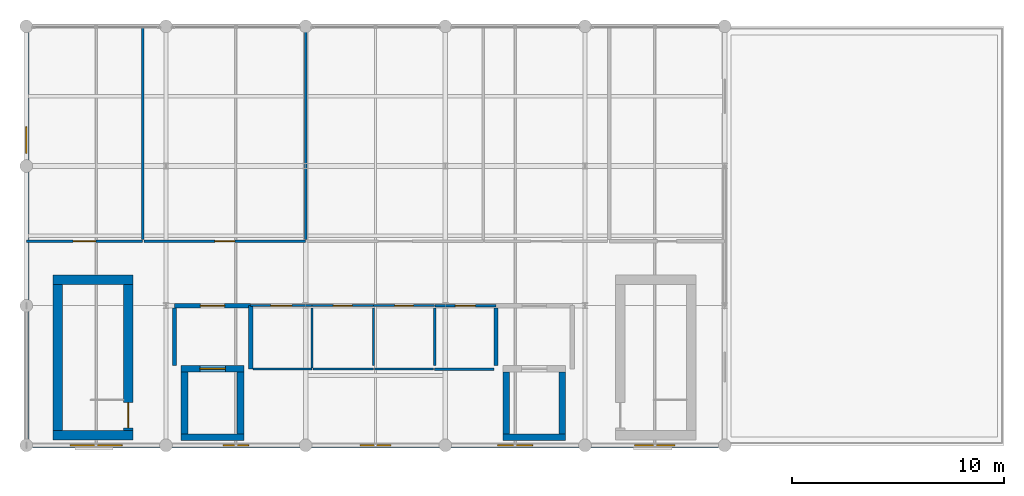
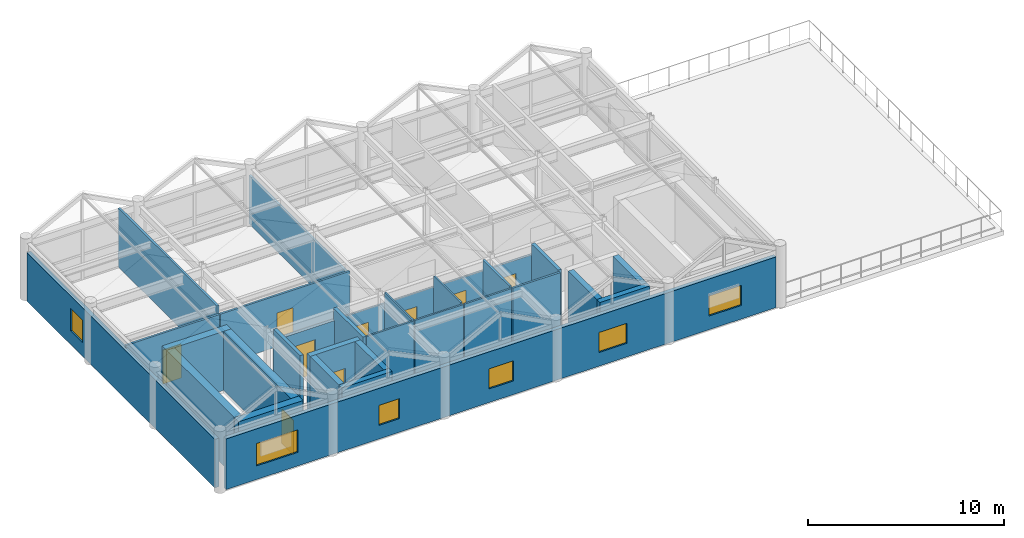
# One storey, part 19 of 21: 32 walls, 9 doors, 6 windows, 15 openings.
"""IFC4 building model written with IfcOpenShell, lengths in metres."""

from ifc_helpers import new_model, si_unit, direction, frame, frame_2d, origin, place, context, subcontext, project, spatial, rectangle, extrude, material, layer, layer_set, type_object, element, fill, save


model = new_model("IFC4")

# Units and contexts
model_context = context("Model", 3, precision=1e-05, world=origin(), true_north=direction((0.0, 1.0)))
body_context = subcontext(model_context, "Body", "Model", "MODEL_VIEW")
ifc_project = project(units=[si_unit("LENGTHUNIT", "METRE"), si_unit("AREAUNIT", "SQUARE_METRE"), si_unit("VOLUMEUNIT", "CUBIC_METRE"), si_unit("PLANEANGLEUNIT", "RADIAN"), si_unit("MASSUNIT", "GRAM", prefix="KILO")], contexts=[model_context])

# Site, building, storey
site_placement = place(None, origin())
site = spatial("IfcSite", under=ifc_project, at=site_placement, CompositionType="ELEMENT")
building_placement = place(site_placement, origin())
building = spatial("IfcBuilding", under=site, at=building_placement, Name="Karori Crest Natural Sciences Institute", CompositionType="ELEMENT")
storey_placement = place(building_placement, frame((0.0, 0.0, 42.0)))
storey = spatial("IfcBuildingStorey", under=building, at=storey_placement, Name="L10", CompositionType="ELEMENT", Elevation=42.0)

# Walls
ifc_material_1 = material(Name="Concrete 50 MPa", Category="concrete")
ifc_layer_1 = layer(ifc_material_1, 0.449951171875, Name="Concrete 50 MPa")
ifc_layer_set_1 = layer_set([ifc_layer_1], Name="Concrete 50 MPa")
wall_type_1 = type_object("IfcWallType", Name="IWT-01", PredefinedType="SHEAR", material=ifc_layer_set_1)
for number, where, z_axis, x_axis, name in (
    (1, (104.85009765625, 1.27490234375, 0.0), (0.0, 0.0, 1.0), (1.0, 0.0, 0.0), "Shear wall IW-0113"),
    (2, (104.85009765625, 8.625, 0.0), (0.0, 0.0, 1.0), (1.0, 0.0, 0.0), "Shear wall IW-0114"),
):
    element("IfcWall", number, at=place(storey_placement, frame(where, z_axis=z_axis, x_axis=x_axis)), inside=storey, type_object=wall_type_1, Name=name, PredefinedType="SHEAR", context=body_context, shape_type="SweptSolid", body=[
        extrude(rectangle(XDim=3.7998046875, YDim=0.449951171875, at=frame_2d((1.89990234375, 0.0))), origin(), (0.0, 0.0, 1.0), 3.669921875),
    ])
wall_1_placement = place(storey_placement, frame((105.074951171875, 1.501953125, 0.0), z_axis=(0.0, 0.0, 1.0), x_axis=(0.0, 1.0, 0.0)))
element("IfcWall", 3, at=wall_1_placement, inside=storey, type_object=wall_type_1, Name="Shear wall IW-0115", PredefinedType="SHEAR", context=body_context, shape_type="SweptSolid", body=[
    extrude(rectangle(XDim=6.89599609375, YDim=0.449951171875, at=frame_2d((3.447998046875, 0.0))), origin(), (0.0, 0.0, 1.0), 3.669921875),
])

# Wall, opening, door
wall_2_placement = place(storey_placement, frame((108.425048828125, 1.501953125, 0.0), z_axis=(0.0, 0.0, 1.0), x_axis=(0.0, 1.0, 0.0)))
wall_2 = element("IfcWall", 4, at=wall_2_placement, inside=storey, type_object=wall_type_1, Name="Shear wall IW-0116", PredefinedType="SHEAR", context=body_context, shape_type="SweptSolid", body=[
    extrude(rectangle(XDim=6.89599609375, YDim=0.449951171875, at=frame_2d((3.447998046875, 0.0))), origin(), (0.0, 0.0, 1.0), 3.669921875),
])
opening_1_placement = place(wall_2_placement, frame((0.1201171875, 0.0, 0.0)))
opening_1 = element("IfcOpeningElement", 5, at=opening_1_placement, cuts=wall_2, Name="Opening ID-0029", PredefinedType="OPENING", context=body_context, shape_type="SweptSolid", body=[
    extrude(rectangle(XDim=1.199951171875, YDim=2.14990234375, at=frame_2d((0.60009765625, 1.074951171875))), frame((0.0, 0.23486328125, 0.0), z_axis=(0.0, -1.0, 0.0), x_axis=(1.0, 0.0, 0.0)), (0.0, 0.0, 1.0), 0.469970703125),
])
ifc_material_2 = material(Name="Stainless steel 316 and fire-rated timber", Category="steel")
door_type_1 = type_object("IfcDoorType", Name="IDT-01", OperationType="NOTDEFINED", PredefinedType="DOOR", material=ifc_material_2)
door_1_placement = place(opening_1_placement, origin())
door_1 = element("IfcDoor", 6, at=door_1_placement, inside=storey, type_object=door_type_1, Name="Stair ST-03 fire door ID-0029", OperationType="SINGLE_SWING_LEFT", OverallHeight=2.14990234375, OverallWidth=1.199951171875, PredefinedType="DOOR", context=body_context, shape_type="SweptSolid", body=[
    extrude(rectangle(XDim=1.199951171875, YDim=2.14990234375, at=frame_2d((0.60009765625, 1.074951171875))), frame((0.0, 0.02490234375, 0.0), z_axis=(0.0, -1.0, 0.0), x_axis=(1.0, 0.0, 0.0)), (0.0, 0.0, 1.0), 0.050048828125),
])
fill(opening_1, door_1)

# Wall
ifc_layer_2 = layer(ifc_material_1, 0.320068359375, Name="Concrete 50 MPa")
ifc_layer_set_2 = layer_set([ifc_layer_2], Name="Concrete 50 MPa")
wall_type_2 = type_object("IfcWallType", Name="IWT-03", PredefinedType="SHEAR", material=ifc_layer_set_2)
wall_3_placement = place(storey_placement, frame((110.919921875, 1.179931640625, 0.0), z_axis=(0.0, 0.0, 1.0), x_axis=(1.0, 0.0, 0.0)))
element("IfcWall", 7, at=wall_3_placement, inside=storey, type_object=wall_type_2, Name="Shear wall IW-0349", PredefinedType="SHEAR", context=body_context, shape_type="SweptSolid", body=[
    extrude(rectangle(XDim=2.9599609375, YDim=0.320068359375, at=frame_2d((1.47998046875, 0.0))), origin(), (0.0, 0.0, 1.0), 3.669921875),
])

# Wall, opening, door
wall_4_placement = place(storey_placement, frame((110.919921875, 4.419921875, 0.0), z_axis=(0.0, 0.0, 1.0), x_axis=(1.0, 0.0, 0.0)))
wall_4 = element("IfcWall", 8, at=wall_4_placement, inside=storey, type_object=wall_type_2, Name="Shear wall IW-0350", PredefinedType="SHEAR", context=body_context, shape_type="SweptSolid", body=[
    extrude(rectangle(XDim=2.9599609375, YDim=0.320068359375, at=frame_2d((1.47998046875, 0.0))), origin(), (0.0, 0.0, 1.0), 3.669921875),
])
opening_2_placement = place(wall_4_placement, frame((0.8798828125, 0.0, 0.0)))
opening_2 = element("IfcOpeningElement", 9, at=opening_2_placement, cuts=wall_4, Name="Opening LD-0012", PredefinedType="OPENING", context=body_context, shape_type="SweptSolid", body=[
    extrude(rectangle(XDim=1.199951171875, YDim=2.199951171875, at=frame_2d((0.60009765625, 1.10009765625))), frame((0.0, 0.169921875, 0.0), z_axis=(0.0, -1.0, 0.0), x_axis=(1.0, 0.0, 0.0)), (0.0, 0.0, 1.0), 0.340087890625),
])
door_type_2 = type_object("IfcDoorType", Name="LDT-02", OperationType="SLIDING_TO_LEFT", PredefinedType="DOOR", material=ifc_material_2)
door_2_placement = place(opening_2_placement, origin())
door_2 = element("IfcDoor", 10, at=door_2_placement, inside=storey, type_object=door_type_2, Name="Lift LF-01 landing door LD-0012", OperationType="SLIDING_TO_LEFT", OverallHeight=2.199951171875, OverallWidth=1.199951171875, PredefinedType="DOOR", context=body_context, shape_type="SweptSolid", body=[
    extrude(rectangle(XDim=1.199951171875, YDim=2.199951171875, at=frame_2d((0.60009765625, 1.10009765625))), frame((0.0, 0.02490234375, 0.0), z_axis=(0.0, -1.0, 0.0), x_axis=(1.0, 0.0, 0.0)), (0.0, 0.0, 1.0), 0.050048828125),
])
fill(opening_2, door_2)

# Walls
for number, where, z_axis, x_axis, name in (
    (11, (111.080078125, 1.342041015625, 0.0), (0.0, 0.0, 1.0), (0.0, 1.0, 0.0), "Shear wall IW-0351"),
    (12, (113.719970703125, 1.342041015625, 0.0), (0.0, 0.0, 1.0), (0.0, 1.0, 0.0), "Shear wall IW-0352"),
):
    element("IfcWall", number, at=place(storey_placement, frame(where, z_axis=z_axis, x_axis=x_axis)), inside=storey, type_object=wall_type_2, Name=name, PredefinedType="SHEAR", context=body_context, shape_type="SweptSolid", body=[
        extrude(rectangle(XDim=2.916015625, YDim=0.320068359375, at=frame_2d((1.4580078125, 0.0))), origin(), (0.0, 0.0, 1.0), 3.669921875),
    ])
wall_5_placement = place(storey_placement, frame((126.1201171875, 1.179931640625, 0.0), z_axis=(0.0, 0.0, 1.0), x_axis=(1.0, 0.0, 0.0)))
element("IfcWall", 13, at=wall_5_placement, inside=storey, type_object=wall_type_2, Name="Shear wall IW-0397", PredefinedType="SHEAR", context=body_context, shape_type="SweptSolid", body=[
    extrude(rectangle(XDim=2.9599609375, YDim=0.320068359375, at=frame_2d((1.47998046875, 0.0))), origin(), (0.0, 0.0, 1.0), 3.669921875),
])
for number, where, z_axis, x_axis, name in (
    (14, (126.280029296875, 1.342041015625, 0.0), (0.0, 0.0, 1.0), (0.0, 1.0, 0.0), "Shear wall IW-0399"),
    (15, (128.919921875, 1.342041015625, 0.0), (0.0, 0.0, 1.0), (0.0, 1.0, 0.0), "Shear wall IW-0400"),
):
    element("IfcWall", number, at=place(storey_placement, frame(where, z_axis=z_axis, x_axis=x_axis)), inside=storey, type_object=wall_type_2, Name=name, PredefinedType="SHEAR", context=body_context, shape_type="SweptSolid", body=[
        extrude(rectangle(XDim=2.916015625, YDim=0.320068359375, at=frame_2d((1.4580078125, 0.0))), origin(), (0.0, 0.0, 1.0), 3.669921875),
    ])

# Wall, opening, door
ifc_material_3 = material(Name="Concrete 40 MPa", Category="concrete")
ifc_layer_3 = layer(ifc_material_3, 0.199951171875, Name="Concrete 40 MPa")
ifc_layer_set_3 = layer_set([ifc_layer_3], Name="Concrete 40 MPa")
wall_type_3 = type_object("IfcWallType", Name="IWT-04", PredefinedType="SOLIDWALL", material=ifc_layer_set_3)
wall_6_placement = place(storey_placement, frame((110.60009765625, 7.39990234375, 0.0), z_axis=(0.0, 0.0, 1.0), x_axis=(1.0, 0.0, 0.0)))
wall_6 = element("IfcWall", 16, at=wall_6_placement, inside=storey, type_object=wall_type_3, Name="Partition wall IW-0866", PredefinedType="SOLIDWALL", context=body_context, shape_type="SweptSolid", body=[
    extrude(rectangle(XDim=3.599853515625, YDim=0.199951171875, at=frame_2d((1.7998046875, 0.0))), origin(), (0.0, 0.0, 1.0), 2.943115234375),
])
opening_3_placement = place(wall_6_placement, frame((1.22509765625, 0.0, 0.0)))
opening_3 = element("IfcOpeningElement", 17, at=opening_3_placement, cuts=wall_6, Name="Opening ID-0211", PredefinedType="OPENING", context=body_context, shape_type="SweptSolid", body=[
    extrude(rectangle(XDim=1.14990234375, YDim=2.14990234375, at=frame_2d((0.574951171875, 1.074951171875))), frame((0.0, 0.10986328125, 0.0), z_axis=(0.0, -1.0, 0.0), x_axis=(1.0, 0.0, 0.0)), (0.0, 0.0, 1.0), 0.219970703125),
])
door_type_3 = type_object("IfcDoorType", Name="IDT-02", OperationType="NOTDEFINED", PredefinedType="DOOR", material=ifc_material_2)
door_3_placement = place(opening_3_placement, origin())
door_3 = element("IfcDoor", 18, at=door_3_placement, inside=storey, type_object=door_type_3, Name="Firefighting Lift Lobby West door ID-0211", OperationType="SINGLE_SWING_LEFT", OverallHeight=2.14990234375, OverallWidth=1.14990234375, PredefinedType="DOOR", context=body_context, shape_type="SweptSolid", body=[
    extrude(rectangle(XDim=1.14990234375, YDim=2.14990234375, at=frame_2d((0.574951171875, 1.074951171875))), frame((0.0, 0.02490234375, 0.0), z_axis=(0.0, -1.0, 0.0), x_axis=(1.0, 0.0, 0.0)), (0.0, 0.0, 1.0), 0.050048828125),
])
fill(opening_3, door_3)

# Walls
wall_7_placement = place(storey_placement, frame((110.60009765625, 4.58203125, 0.0), z_axis=(0.0, 0.0, 1.0), x_axis=(0.0, 1.0, 0.0)))
element("IfcWall", 19, at=wall_7_placement, inside=storey, type_object=wall_type_3, Name="Partition wall IW-0867", PredefinedType="SOLIDWALL", context=body_context, shape_type="SweptSolid", body=[
    extrude(rectangle(XDim=2.716064453125, YDim=0.199951171875, at=frame_2d((1.35791015625, 0.0))), origin(), (0.0, 0.0, 1.0), 3.669921875),
])
wall_8_placement = place(storey_placement, frame((114.199951171875, 4.39990234375, 0.0), z_axis=(0.0, 0.0, 1.0), x_axis=(0.0, 1.0, 0.0)))
element("IfcWall", 20, at=wall_8_placement, inside=storey, type_object=wall_type_3, Name="Partition wall IW-0868", PredefinedType="SOLIDWALL", context=body_context, shape_type="SweptSolid", body=[
    extrude(rectangle(XDim=3.0, YDim=0.199951171875, at=frame_2d((1.5, 0.0))), origin(), (0.0, 0.0, 1.0), 3.669921875),
])
wall_9_placement = place(storey_placement, frame((125.800048828125, 4.58203125, 0.0), z_axis=(0.0, 0.0, 1.0), x_axis=(0.0, 1.0, 0.0)))
element("IfcWall", 21, at=wall_9_placement, inside=storey, type_object=wall_type_3, Name="Partition wall IW-0870", PredefinedType="SOLIDWALL", context=body_context, shape_type="SweptSolid", body=[
    extrude(rectangle(XDim=2.716064453125, YDim=0.199951171875, at=frame_2d((1.35791015625, 0.0))), origin(), (0.0, 0.0, 1.0), 3.669921875),
])
ifc_material_4 = material(Name="Write-up office acoustic partition")
ifc_layer_4 = layer(ifc_material_4, 0.1201171875, Name="Write-up office acoustic partition")
ifc_layer_set_4 = layer_set([ifc_layer_4], Name="Write-up office acoustic partition")
wall_type_4 = type_object("IfcWallType", Name="IWT-08", PredefinedType="PARTITIONING", material=ifc_layer_set_4)
wall_10_placement = place(storey_placement, frame((122.89990234375, 4.39990234375, 0.0), z_axis=(0.0, 0.0, 1.0), x_axis=(1.0, 0.0, 0.0)))
element("IfcWall", 22, at=wall_10_placement, inside=storey, type_object=wall_type_4, Name="Partition wall IW-0872", PredefinedType="PARTITIONING", context=body_context, shape_type="SweptSolid", body=[
    extrude(rectangle(XDim=2.798095703125, YDim=0.1201171875, at=frame_2d((1.39892578125, 0.0))), origin(), (0.0, 0.0, 1.0), 3.669921875),
])

# Wall, opening, door
wall_11_placement = place(storey_placement, frame((122.89990234375, 7.39990234375, 0.0), z_axis=(0.0, 0.0, 1.0), x_axis=(1.0, 0.0, 0.0)))
wall_11 = element("IfcWall", 23, at=wall_11_placement, inside=storey, type_object=wall_type_4, Name="Partition wall IW-0873", PredefinedType="PARTITIONING", context=body_context, shape_type="SweptSolid", body=[
    extrude(rectangle(XDim=2.898193359375, YDim=0.1201171875, at=frame_2d((1.44921875, 0.0))), origin(), (0.0, 0.0, 1.0), 2.943115234375),
])
opening_4_placement = place(wall_11_placement, frame((0.97412109375, 0.0, 0.0)))
opening_4 = element("IfcOpeningElement", 24, at=opening_4_placement, cuts=wall_11, Name="Opening ID-0213", PredefinedType="OPENING", context=body_context, shape_type="SweptSolid", body=[
    extrude(rectangle(XDim=0.949951171875, YDim=2.10009765625, at=frame_2d((0.47509765625, 1.050048828125))), frame((0.0, 0.070068359375, 0.0), z_axis=(0.0, -1.0, 0.0), x_axis=(1.0, 0.0, 0.0)), (0.0, 0.0, 1.0), 0.14013671875),
])
ifc_material_5 = material(Name="Anodised aluminium and acoustic timber", Category="wood")
door_type_4 = type_object("IfcDoorType", Name="IDT-08", OperationType="NOTDEFINED", PredefinedType="DOOR", material=ifc_material_5)
door_4_placement = place(opening_4_placement, origin())
door_4 = element("IfcDoor", 25, at=door_4_placement, inside=storey, type_object=door_type_4, Name="Communications Server Room door ID-0213", OperationType="SINGLE_SWING_LEFT", OverallHeight=2.10009765625, OverallWidth=0.949951171875, PredefinedType="DOOR", context=body_context, shape_type="SweptSolid", body=[
    extrude(rectangle(XDim=0.949951171875, YDim=2.10009765625, at=frame_2d((0.47509765625, 1.050048828125))), frame((0.0, 0.02490234375, 0.0), z_axis=(0.0, -1.0, 0.0), x_axis=(1.0, 0.0, 0.0)), (0.0, 0.0, 1.0), 0.050048828125),
])
fill(opening_4, door_4)

# Wall
wall_12_placement = place(storey_placement, frame((122.89990234375, 4.58203125, 0.0), z_axis=(0.0, 0.0, 1.0), x_axis=(0.0, 1.0, 0.0)))
element("IfcWall", 26, at=wall_12_placement, inside=storey, type_object=wall_type_4, Name="Partition wall IW-0874", PredefinedType="PARTITIONING", context=body_context, shape_type="SweptSolid", body=[
    extrude(rectangle(XDim=2.716064453125, YDim=0.1201171875, at=frame_2d((1.35791015625, 0.0))), origin(), (0.0, 0.0, 1.0), 3.669921875),
])

# Wall, opening, door
wall_13_placement = place(storey_placement, frame((103.60009765625, 10.449951171875, 0.0), z_axis=(0.0, 0.0, 1.0), x_axis=(1.0, 0.0, 0.0)))
wall_13 = element("IfcWall", 27, at=wall_13_placement, inside=storey, type_object=wall_type_4, Name="Partition wall IW-0885", PredefinedType="PARTITIONING", context=body_context, shape_type="SweptSolid", body=[
    extrude(rectangle(XDim=5.5, YDim=0.1201171875, at=frame_2d((2.75, 0.0))), origin(), (0.0, 0.0, 1.0), 3.196044921875),
])
opening_5_placement = place(wall_13_placement, frame((2.2099609375, 0.0, 0.0)))
opening_5 = element("IfcOpeningElement", 28, at=opening_5_placement, cuts=wall_13, Name="Opening ID-0218", PredefinedType="OPENING", context=body_context, shape_type="SweptSolid", body=[
    extrude(rectangle(XDim=1.080078125, YDim=2.1201171875, at=frame_2d((0.5400390625, 1.06005859375))), frame((0.0, 0.070068359375, 0.0), z_axis=(0.0, -1.0, 0.0), x_axis=(1.0, 0.0, 0.0)), (0.0, 0.0, 1.0), 0.14013671875),
])
door_type_5 = type_object("IfcDoorType", Name="IDT-12", OperationType="NOTDEFINED", PredefinedType="DOOR", material=ifc_material_5)
door_5_placement = place(opening_5_placement, origin())
door_5 = element("IfcDoor", 29, at=door_5_placement, inside=storey, type_object=door_type_5, Name="Write-Up Office door ID-0218", OperationType="SINGLE_SWING_RIGHT", OverallHeight=2.1201171875, OverallWidth=1.080078125, PredefinedType="DOOR", context=body_context, shape_type="SweptSolid", body=[
    extrude(rectangle(XDim=1.080078125, YDim=2.1201171875, at=frame_2d((0.5400390625, 1.06005859375))), frame((0.0, 0.02490234375, 0.0), z_axis=(0.0, -1.0, 0.0), x_axis=(1.0, 0.0, 0.0)), (0.0, 0.0, 1.0), 0.050048828125),
])
fill(opening_5, door_5)

# Wall
wall_14_placement = place(storey_placement, frame((109.10009765625, 10.531982421875, 0.0), z_axis=(0.0, 0.0, 1.0), x_axis=(0.0, 1.0, 0.0)))
element("IfcWall", 30, at=wall_14_placement, inside=storey, type_object=wall_type_4, Name="Partition wall IW-0886", PredefinedType="PARTITIONING", context=body_context, shape_type="SweptSolid", body=[
    extrude(rectangle(XDim=10.068115234375, YDim=0.1201171875, at=frame_2d((5.0341796875, 0.0))), origin(), (0.0, 0.0, 1.0), 3.669921875),
])

# Wall, opening, door
wall_15_placement = place(storey_placement, frame((109.162109375, 10.449951171875, 0.0), z_axis=(0.0, 0.0, 1.0), x_axis=(1.0, 0.0, 0.0)))
wall_15 = element("IfcWall", 31, at=wall_15_placement, inside=storey, type_object=wall_type_4, Name="Partition wall IW-0887", PredefinedType="PARTITIONING", context=body_context, shape_type="SweptSolid", body=[
    extrude(rectangle(XDim=7.637939453125, YDim=0.1201171875, at=frame_2d((3.81884765625, 0.0))), origin(), (0.0, 0.0, 1.0), 3.196044921875),
])
opening_6_placement = place(wall_15_placement, frame((3.343994140625, 0.0, 0.0)))
opening_6 = element("IfcOpeningElement", 32, at=opening_6_placement, cuts=wall_15, Name="Opening ID-0219", PredefinedType="OPENING", context=body_context, shape_type="SweptSolid", body=[
    extrude(rectangle(XDim=0.949951171875, YDim=2.10009765625, at=frame_2d((0.47509765625, 1.050048828125))), frame((0.0, 0.070068359375, 0.0), z_axis=(0.0, -1.0, 0.0), x_axis=(1.0, 0.0, 0.0)), (0.0, 0.0, 1.0), 0.14013671875),
])
door_6_placement = place(opening_6_placement, origin())
door_6 = element("IfcDoor", 33, at=door_6_placement, inside=storey, type_object=door_type_4, Name="Computational Ecology Studio door ID-0219", OperationType="SINGLE_SWING_LEFT", OverallHeight=2.10009765625, OverallWidth=0.949951171875, PredefinedType="DOOR", context=body_context, shape_type="SweptSolid", body=[
    extrude(rectangle(XDim=0.949951171875, YDim=2.10009765625, at=frame_2d((0.47509765625, 1.050048828125))), frame((0.0, 0.02490234375, 0.0), z_axis=(0.0, -1.0, 0.0), x_axis=(1.0, 0.0, 0.0)), (0.0, 0.0, 1.0), 0.050048828125),
])
fill(opening_6, door_6)

# Walls
wall_16_placement = place(storey_placement, frame((116.800048828125, 10.531982421875, 0.0), z_axis=(0.0, 0.0, 1.0), x_axis=(0.0, 1.0, 0.0)))
element("IfcWall", 34, at=wall_16_placement, inside=storey, type_object=wall_type_4, Name="Partition wall IW-0888", PredefinedType="PARTITIONING", context=body_context, shape_type="SweptSolid", body=[
    extrude(rectangle(XDim=10.068115234375, YDim=0.1201171875, at=frame_2d((5.0341796875, 0.0))), origin(), (0.0, 0.0, 1.0), 3.02197265625),
])
ifc_material_6 = material(Name="Washroom moisture-resistant partition")
ifc_layer_5 = layer(ifc_material_6, 0.10009765625, Name="Washroom moisture-resistant partition")
ifc_layer_set_5 = layer_set([ifc_layer_5], Name="Washroom moisture-resistant partition")
wall_type_5 = type_object("IfcWallType", Name="IWT-09", PredefinedType="PARTITIONING", material=ifc_layer_set_5)
wall_17_placement = place(storey_placement, frame((114.302001953125, 4.39990234375, 0.0), z_axis=(0.0, 0.0, 1.0), x_axis=(1.0, 0.0, 0.0)))
element("IfcWall", 35, at=wall_17_placement, inside=storey, type_object=wall_type_5, Name="Partition wall IW-0875", PredefinedType="PARTITIONING", context=body_context, shape_type="SweptSolid", body=[
    extrude(rectangle(XDim=2.798095703125, YDim=0.10009765625, at=frame_2d((1.39892578125, 0.0))), origin(), (0.0, 0.0, 1.0), 3.669921875),
])

# Wall, opening, door
wall_18_placement = place(storey_placement, frame((114.201904296875, 7.39990234375, 0.0), z_axis=(0.0, 0.0, 1.0), x_axis=(1.0, 0.0, 0.0)))
wall_18 = element("IfcWall", 36, at=wall_18_placement, inside=storey, type_object=wall_type_5, Name="Partition wall IW-0876", PredefinedType="PARTITIONING", context=body_context, shape_type="SweptSolid", body=[
    extrude(rectangle(XDim=2.898193359375, YDim=0.10009765625, at=frame_2d((1.44921875, 0.0))), origin(), (0.0, 0.0, 1.0), 2.943115234375),
])
opening_7_placement = place(wall_18_placement, frame((0.948974609375, 0.0, 0.0)))
opening_7 = element("IfcOpeningElement", 37, at=opening_7_placement, cuts=wall_18, Name="Opening ID-0214", PredefinedType="OPENING", context=body_context, shape_type="SweptSolid", body=[
    extrude(rectangle(XDim=1.0, YDim=2.10009765625, at=frame_2d((0.5, 1.050048828125))), frame((0.0, 0.06005859375, 0.0), z_axis=(0.0, -1.0, 0.0), x_axis=(1.0, 0.0, 0.0)), (0.0, 0.0, 1.0), 0.1201171875),
])
door_type_6 = type_object("IfcDoorType", Name="IDT-09", OperationType="NOTDEFINED", PredefinedType="DOOR", material=ifc_material_5)
door_7_placement = place(opening_7_placement, origin())
door_7 = element("IfcDoor", 38, at=door_7_placement, inside=storey, type_object=door_type_6, Name="Accessible WC door ID-0214", OperationType="SINGLE_SWING_RIGHT", OverallHeight=2.10009765625, OverallWidth=1.0, PredefinedType="DOOR", context=body_context, shape_type="SweptSolid", body=[
    extrude(rectangle(XDim=1.0, YDim=2.10009765625, at=frame_2d((0.5, 1.050048828125))), frame((0.0, 0.02490234375, 0.0), z_axis=(0.0, -1.0, 0.0), x_axis=(1.0, 0.0, 0.0)), (0.0, 0.0, 1.0), 0.050048828125),
])
fill(opening_7, door_7)

# Walls
wall_19_placement = place(storey_placement, frame((117.10009765625, 4.4619140625, 0.0), z_axis=(0.0, 0.0, 1.0), x_axis=(0.0, 1.0, 0.0)))
element("IfcWall", 39, at=wall_19_placement, inside=storey, type_object=wall_type_5, Name="Partition wall IW-0877", PredefinedType="PARTITIONING", context=body_context, shape_type="SweptSolid", body=[
    extrude(rectangle(XDim=2.836181640625, YDim=0.10009765625, at=frame_2d((1.41796875, 0.0))), origin(), (0.0, 0.0, 1.0), 3.669921875),
])
wall_20_placement = place(storey_placement, frame((117.152099609375, 4.39990234375, 0.0), z_axis=(0.0, 0.0, 1.0), x_axis=(1.0, 0.0, 0.0)))
element("IfcWall", 40, at=wall_20_placement, inside=storey, type_object=wall_type_5, Name="Partition wall IW-0878", PredefinedType="PARTITIONING", context=body_context, shape_type="SweptSolid", body=[
    extrude(rectangle(XDim=2.847900390625, YDim=0.10009765625, at=frame_2d((1.423828125, 0.0))), origin(), (0.0, 0.0, 1.0), 3.669921875),
])

# Wall, opening, door
wall_21_placement = place(storey_placement, frame((117.10205078125, 7.39990234375, 0.0), z_axis=(0.0, 0.0, 1.0), x_axis=(1.0, 0.0, 0.0)))
wall_21 = element("IfcWall", 41, at=wall_21_placement, inside=storey, type_object=wall_type_5, Name="Partition wall IW-0879", PredefinedType="PARTITIONING", context=body_context, shape_type="SweptSolid", body=[
    extrude(rectangle(XDim=2.89794921875, YDim=0.10009765625, at=frame_2d((1.448974609375, 0.0))), origin(), (0.0, 0.0, 1.0), 2.943115234375),
])
opening_8_placement = place(wall_21_placement, frame((1.009033203125, 0.0, 0.0)))
opening_8 = element("IfcOpeningElement", 42, at=opening_8_placement, cuts=wall_21, Name="Opening ID-0215", PredefinedType="OPENING", context=body_context, shape_type="SweptSolid", body=[
    extrude(rectangle(XDim=0.8798828125, YDim=2.080078125, at=frame_2d((0.43994140625, 1.0400390625))), frame((0.0, 0.06005859375, 0.0), z_axis=(0.0, -1.0, 0.0), x_axis=(1.0, 0.0, 0.0)), (0.0, 0.0, 1.0), 0.1201171875),
])
door_type_7 = type_object("IfcDoorType", Name="IDT-10", OperationType="NOTDEFINED", PredefinedType="DOOR", material=ifc_material_5)
door_8_placement = place(opening_8_placement, origin())
door_8 = element("IfcDoor", 43, at=door_8_placement, inside=storey, type_object=door_type_7, Name="Female Washroom WC door ID-0215", OperationType="SINGLE_SWING_LEFT", OverallHeight=2.080078125, OverallWidth=0.8798828125, PredefinedType="DOOR", context=body_context, shape_type="SweptSolid", body=[
    extrude(rectangle(XDim=0.8798828125, YDim=2.080078125, at=frame_2d((0.43994140625, 1.0400390625))), frame((0.0, 0.02490234375, 0.0), z_axis=(0.0, -1.0, 0.0), x_axis=(1.0, 0.0, 0.0)), (0.0, 0.0, 1.0), 0.050048828125),
])
fill(opening_8, door_8)

# Walls
wall_22_placement = place(storey_placement, frame((120.0, 4.58203125, 0.0), z_axis=(0.0, 0.0, 1.0), x_axis=(0.0, 1.0, 0.0)))
element("IfcWall", 44, at=wall_22_placement, inside=storey, type_object=wall_type_5, Name="Partition wall IW-0880", PredefinedType="PARTITIONING", context=body_context, shape_type="SweptSolid", body=[
    extrude(rectangle(XDim=2.716064453125, YDim=0.10009765625, at=frame_2d((1.35791015625, 0.0))), origin(), (0.0, 0.0, 1.0), 3.669921875),
])
wall_23_placement = place(storey_placement, frame((120.052001953125, 4.39990234375, 0.0), z_axis=(0.0, 0.0, 1.0), x_axis=(1.0, 0.0, 0.0)))
element("IfcWall", 45, at=wall_23_placement, inside=storey, type_object=wall_type_5, Name="Partition wall IW-0881", PredefinedType="PARTITIONING", context=body_context, shape_type="SweptSolid", body=[
    extrude(rectangle(XDim=2.785888671875, YDim=0.10009765625, at=frame_2d((1.39306640625, 0.0))), origin(), (0.0, 0.0, 1.0), 3.669921875),
])

# Wall, opening, door
wall_24_placement = place(storey_placement, frame((120.001953125, 7.39990234375, 0.0), z_axis=(0.0, 0.0, 1.0), x_axis=(1.0, 0.0, 0.0)))
wall_24 = element("IfcWall", 46, at=wall_24_placement, inside=storey, type_object=wall_type_5, Name="Partition wall IW-0882", PredefinedType="PARTITIONING", context=body_context, shape_type="SweptSolid", body=[
    extrude(rectangle(XDim=2.89599609375, YDim=0.10009765625, at=frame_2d((1.447998046875, 0.0))), origin(), (0.0, 0.0, 1.0), 2.943115234375),
])
opening_9_placement = place(wall_24_placement, frame((1.008056640625, 0.0, 0.0)))
opening_9 = element("IfcOpeningElement", 47, at=opening_9_placement, cuts=wall_24, Name="Opening ID-0216", PredefinedType="OPENING", context=body_context, shape_type="SweptSolid", body=[
    extrude(rectangle(XDim=0.8798828125, YDim=2.080078125, at=frame_2d((0.43994140625, 1.0400390625))), frame((0.0, 0.06005859375, 0.0), z_axis=(0.0, -1.0, 0.0), x_axis=(1.0, 0.0, 0.0)), (0.0, 0.0, 1.0), 0.1201171875),
])
door_9_placement = place(opening_9_placement, origin())
door_9 = element("IfcDoor", 48, at=door_9_placement, inside=storey, type_object=door_type_7, Name="Male Washroom WC door ID-0216", OperationType="SINGLE_SWING_RIGHT", OverallHeight=2.080078125, OverallWidth=0.8798828125, PredefinedType="DOOR", context=body_context, shape_type="SweptSolid", body=[
    extrude(rectangle(XDim=0.8798828125, YDim=2.080078125, at=frame_2d((0.43994140625, 1.0400390625))), frame((0.0, 0.02490234375, 0.0), z_axis=(0.0, -1.0, 0.0), x_axis=(1.0, 0.0, 0.0)), (0.0, 0.0, 1.0), 0.050048828125),
])
fill(opening_9, door_9)

# Wall, opening, window
ifc_material_7 = material(Name="Precast concrete 40 MPa", Category="concrete")
ifc_layer_6 = layer(ifc_material_7, 0.239990234375, Name="Precast concrete 40 MPa")
ifc_layer_set_6 = layer_set([ifc_layer_6], Name="Precast concrete 40 MPa")
wall_type_6 = type_object("IfcWallType", Name="WT-04", PredefinedType="SOLIDWALL", material=ifc_layer_set_6)
wall_25_placement = place(storey_placement, frame((103.60009765625, 1.097900390625, 0.0), z_axis=(0.0, 0.0, 1.0), x_axis=(0.0, 1.0, 0.0)))
wall_25 = element("IfcWall", 49, at=wall_25_placement, inside=storey, type_object=wall_type_6, Name="Exterior wall EW-0224", PredefinedType="SOLIDWALL", context=body_context, shape_type="SweptSolid", body=[
    extrude(rectangle(XDim=19.2041015625, YDim=0.239990234375, at=frame_2d((9.60205078125, 0.0))), origin(), (0.0, 0.0, 1.0), 3.02197265625),
])
opening_10_placement = place(wall_25_placement, frame((13.5, 0.0, 0.85009765625)))
opening_10 = element("IfcOpeningElement", 50, at=opening_10_placement, cuts=wall_25, Name="Opening WN-0232", PredefinedType="OPENING", context=body_context, shape_type="SweptSolid", body=[
    extrude(rectangle(XDim=1.25, YDim=1.39990234375, at=frame_2d((0.625, 0.699951171875))), frame((0.0, 0.1298828125, 0.0), z_axis=(0.0, -1.0, 0.0), x_axis=(1.0, 0.0, 0.0)), (0.0, 0.0, 1.0), 0.260009765625),
])
ifc_material_8 = material(Name="Double low-E laminated glass", Category="glass")
window_type_1 = type_object("IfcWindowType", Name="WNT-02", PartitioningType="SINGLE_PANEL", PredefinedType="WINDOW", material=ifc_material_8)
window_1_placement = place(opening_10_placement, origin())
window_1 = element("IfcWindow", 51, at=window_1_placement, inside=storey, type_object=window_type_1, Name="Window WN-0232", OverallHeight=1.39990234375, OverallWidth=1.25, PartitioningType="SINGLE_PANEL", PredefinedType="WINDOW", context=body_context, shape_type="SweptSolid", body=[
    extrude(rectangle(XDim=1.25, YDim=1.39990234375, at=frame_2d((0.625, 0.699951171875))), frame((0.0, 0.030029296875, 0.0), z_axis=(0.0, -1.0, 0.0), x_axis=(1.0, 0.0, 0.0)), (0.0, 0.0, 1.0), 0.06005859375),
])
fill(opening_10, window_1)

# Wall, openings, windows
wall_26_placement = place(storey_placement, frame((136.302001953125, 0.800048828125, 0.0), z_axis=(0.0, 0.0, 1.0), x_axis=(-1.0, 0.0, 0.0)))
wall_26 = element("IfcWall", 52, at=wall_26_placement, inside=storey, type_object=wall_type_6, Name="Exterior wall EW-0226", PredefinedType="SOLIDWALL", context=body_context, shape_type="SweptSolid", body=[
    extrude(rectangle(XDim=32.404052734375, YDim=0.239990234375, at=frame_2d((16.2021484375, 0.0))), origin(), (0.0, 0.0, 1.0), 3.155029296875),
])
opening_11_placement = place(wall_26_placement, frame((28.177001953125, 0.0, 0.85009765625)))
opening_11 = element("IfcOpeningElement", 53, at=opening_11_placement, cuts=wall_26, Name="Opening WN-0234", PredefinedType="OPENING", context=body_context, shape_type="SweptSolid", body=[
    extrude(rectangle(XDim=2.449951171875, YDim=1.39990234375, at=frame_2d((1.22509765625, 0.699951171875))), frame((0.0, 0.1298828125, 0.0), z_axis=(0.0, -1.0, 0.0), x_axis=(1.0, 0.0, 0.0)), (0.0, 0.0, 1.0), 0.260009765625),
])
opening_12_placement = place(wall_26_placement, frame((22.201904296875, 0.0, 0.85009765625)))
opening_12 = element("IfcOpeningElement", 54, at=opening_12_placement, cuts=wall_26, Name="Opening WN-0235", PredefinedType="OPENING", context=body_context, shape_type="SweptSolid", body=[
    extrude(rectangle(XDim=1.199951171875, YDim=1.25, at=frame_2d((0.60009765625, 0.625))), frame((0.0, 0.1298828125, 0.0), z_axis=(0.0, -1.0, 0.0), x_axis=(1.0, 0.0, 0.0)), (0.0, 0.0, 1.0), 0.260009765625),
])
opening_13_placement = place(wall_26_placement, frame((15.47705078125, 0.0, 0.85009765625)))
opening_13 = element("IfcOpeningElement", 55, at=opening_13_placement, cuts=wall_26, Name="Opening WN-0236", PredefinedType="OPENING", context=body_context, shape_type="SweptSolid", body=[
    extrude(rectangle(XDim=1.449951171875, YDim=1.25, at=frame_2d((0.72509765625, 0.625))), frame((0.0, 0.1298828125, 0.0), z_axis=(0.0, -1.0, 0.0), x_axis=(1.0, 0.0, 0.0)), (0.0, 0.0, 1.0), 0.260009765625),
])
opening_14_placement = place(wall_26_placement, frame((8.777099609375, 0.0, 0.85009765625)))
opening_14 = element("IfcOpeningElement", 56, at=opening_14_placement, cuts=wall_26, Name="Opening WN-0237", PredefinedType="OPENING", context=body_context, shape_type="SweptSolid", body=[
    extrude(rectangle(XDim=1.64990234375, YDim=1.25, at=frame_2d((0.824951171875, 0.625))), frame((0.0, 0.1298828125, 0.0), z_axis=(0.0, -1.0, 0.0), x_axis=(1.0, 0.0, 0.0)), (0.0, 0.0, 1.0), 0.260009765625),
])
opening_15_placement = place(wall_26_placement, frame((2.052001953125, 0.0, 0.85009765625)))
opening_15 = element("IfcOpeningElement", 57, at=opening_15_placement, cuts=wall_26, Name="Opening WN-0238", PredefinedType="OPENING", context=body_context, shape_type="SweptSolid", body=[
    extrude(rectangle(XDim=1.89990234375, YDim=1.25, at=frame_2d((0.949951171875, 0.625))), frame((0.0, 0.1298828125, 0.0), z_axis=(0.0, -1.0, 0.0), x_axis=(1.0, 0.0, 0.0)), (0.0, 0.0, 1.0), 0.260009765625),
])
window_type_2 = type_object("IfcWindowType", Name="WNT-10", PartitioningType="SINGLE_PANEL", PredefinedType="WINDOW", material=ifc_material_8)
window_2_placement = place(opening_11_placement, origin())
window_2 = element("IfcWindow", 58, at=window_2_placement, inside=storey, type_object=window_type_2, Name="Window WN-0234", OverallHeight=1.39990234375, OverallWidth=2.449951171875, PartitioningType="SINGLE_PANEL", PredefinedType="WINDOW", context=body_context, shape_type="SweptSolid", body=[
    extrude(rectangle(XDim=2.449951171875, YDim=1.39990234375, at=frame_2d((1.22509765625, 0.699951171875))), frame((0.0, 0.030029296875, 0.0), z_axis=(0.0, -1.0, 0.0), x_axis=(1.0, 0.0, 0.0)), (0.0, 0.0, 1.0), 0.06005859375),
])
fill(opening_11, window_2)
window_type_3 = type_object("IfcWindowType", Name="WNT-11", PartitioningType="SINGLE_PANEL", PredefinedType="WINDOW", material=ifc_material_8)
window_3_placement = place(opening_12_placement, origin())
window_3 = element("IfcWindow", 59, at=window_3_placement, inside=storey, type_object=window_type_3, Name="Window WN-0235", OverallHeight=1.25, OverallWidth=1.199951171875, PartitioningType="SINGLE_PANEL", PredefinedType="WINDOW", context=body_context, shape_type="SweptSolid", body=[
    extrude(rectangle(XDim=1.199951171875, YDim=1.25, at=frame_2d((0.60009765625, 0.625))), frame((0.0, 0.030029296875, 0.0), z_axis=(0.0, -1.0, 0.0), x_axis=(1.0, 0.0, 0.0)), (0.0, 0.0, 1.0), 0.06005859375),
])
fill(opening_12, window_3)
window_type_4 = type_object("IfcWindowType", Name="WNT-12", PartitioningType="SINGLE_PANEL", PredefinedType="WINDOW", material=ifc_material_8)
window_4_placement = place(opening_13_placement, origin())
window_4 = element("IfcWindow", 60, at=window_4_placement, inside=storey, type_object=window_type_4, Name="Window WN-0236", OverallHeight=1.25, OverallWidth=1.449951171875, PartitioningType="SINGLE_PANEL", PredefinedType="WINDOW", context=body_context, shape_type="SweptSolid", body=[
    extrude(rectangle(XDim=1.449951171875, YDim=1.25, at=frame_2d((0.72509765625, 0.625))), frame((0.0, 0.030029296875, 0.0), z_axis=(0.0, -1.0, 0.0), x_axis=(1.0, 0.0, 0.0)), (0.0, 0.0, 1.0), 0.06005859375),
])
fill(opening_13, window_4)
window_type_5 = type_object("IfcWindowType", Name="WNT-13", PartitioningType="SINGLE_PANEL", PredefinedType="WINDOW", material=ifc_material_8)
window_5_placement = place(opening_14_placement, origin())
window_5 = element("IfcWindow", 61, at=window_5_placement, inside=storey, type_object=window_type_5, Name="Window WN-0237", OverallHeight=1.25, OverallWidth=1.64990234375, PartitioningType="SINGLE_PANEL", PredefinedType="WINDOW", context=body_context, shape_type="SweptSolid", body=[
    extrude(rectangle(XDim=1.64990234375, YDim=1.25, at=frame_2d((0.824951171875, 0.625))), frame((0.0, 0.030029296875, 0.0), z_axis=(0.0, -1.0, 0.0), x_axis=(1.0, 0.0, 0.0)), (0.0, 0.0, 1.0), 0.06005859375),
])
fill(opening_14, window_5)
window_type_6 = type_object("IfcWindowType", Name="WNT-14", PartitioningType="SINGLE_PANEL", PredefinedType="WINDOW", material=ifc_material_8)
window_6_placement = place(opening_15_placement, origin())
window_6 = element("IfcWindow", 62, at=window_6_placement, inside=storey, type_object=window_type_6, Name="Window WN-0238", OverallHeight=1.25, OverallWidth=1.89990234375, PartitioningType="SINGLE_PANEL", PredefinedType="WINDOW", context=body_context, shape_type="SweptSolid", body=[
    extrude(rectangle(XDim=1.89990234375, YDim=1.25, at=frame_2d((0.949951171875, 0.625))), frame((0.0, 0.030029296875, 0.0), z_axis=(0.0, -1.0, 0.0), x_axis=(1.0, 0.0, 0.0)), (0.0, 0.0, 1.0), 0.06005859375),
])
fill(opening_15, window_6)

save(model, "model.ifc")
